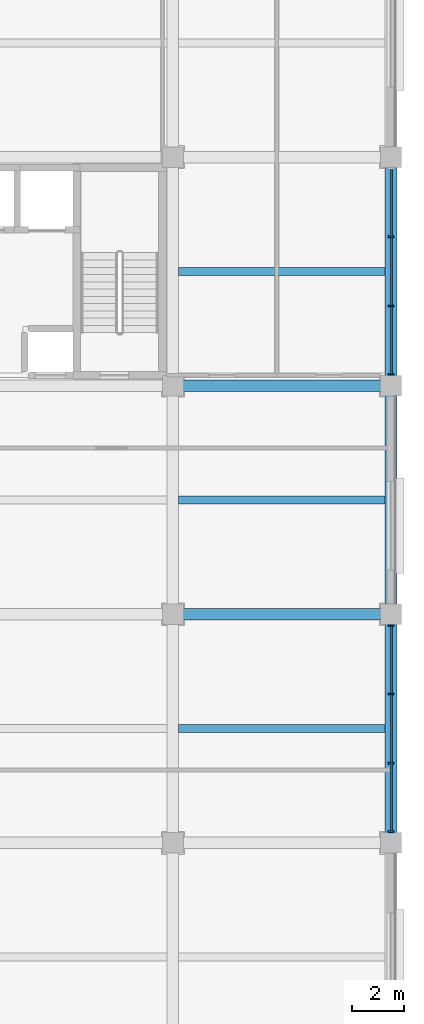
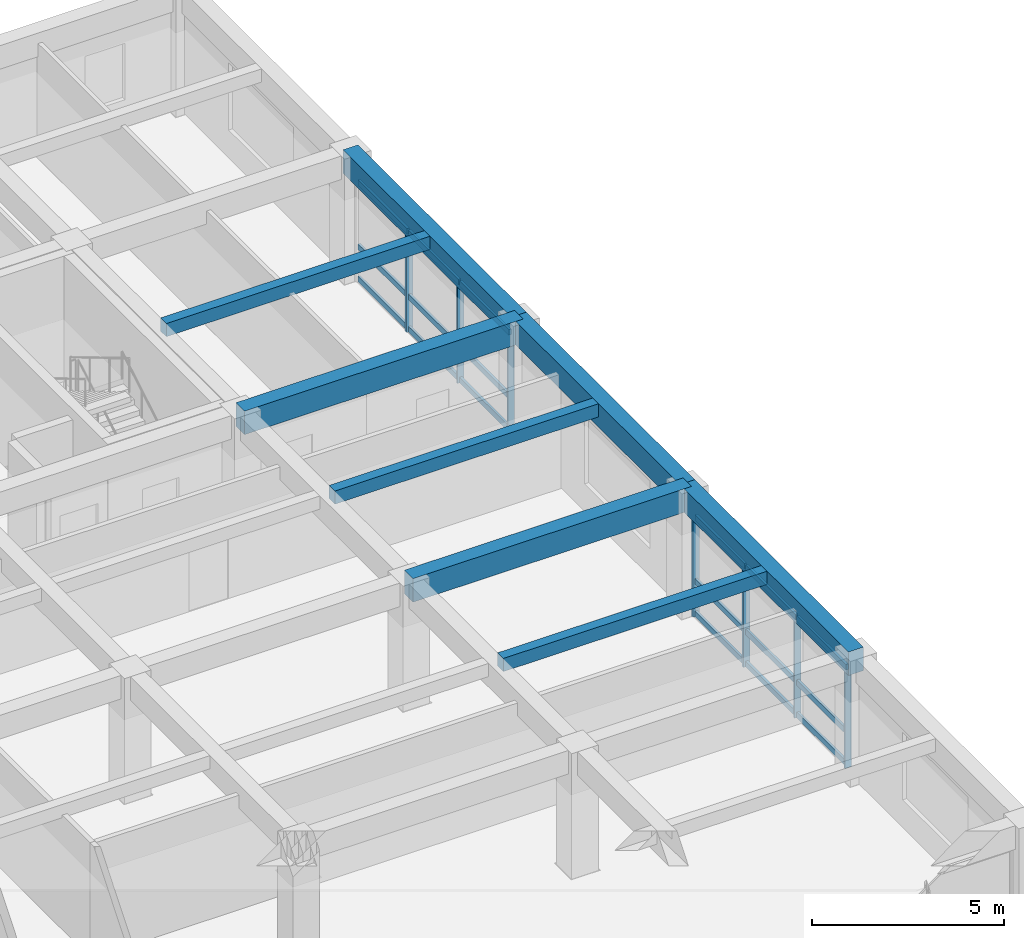
# One storey, part 29 of 49: 25 members, 8 beams, 2 elements without a shape of their own.
"""IFC4 building model written with IfcOpenShell, lengths in metres."""

from ifc_helpers import new_model, si_unit, direction, frame, origin, origin_2d, place, context, subcontext, project, spatial, rectangle, extrude, material, material_profile, profile_set, type_object, element, aggregate, save


model = new_model("IFC4")

# Units and contexts
model_context = context("Model", 3, precision=1e-05, world=origin(), true_north=direction((0.0, 1.0)))
body_context = subcontext(model_context, "Body", "Model", "MODEL_VIEW")
ifc_project = project(units=[si_unit("LENGTHUNIT", "METRE"), si_unit("AREAUNIT", "SQUARE_METRE"), si_unit("VOLUMEUNIT", "CUBIC_METRE"), si_unit("PLANEANGLEUNIT", "RADIAN"), si_unit("MASSUNIT", "GRAM", prefix="KILO")], contexts=[model_context])

# Site, building, storey
site_placement = place(None, origin())
site = spatial("IfcSite", under=ifc_project, at=site_placement, CompositionType="ELEMENT")
building_placement = place(site_placement, origin())
building = spatial("IfcBuilding", under=site, at=building_placement, Name="Kemercrest Conservatory and Botanical Centre", CompositionType="ELEMENT")
storey_placement = place(building_placement, frame((0.0, 0.0, 13.199951171875)))
storey = spatial("IfcBuildingStorey", under=building, at=storey_placement, Name="L03", CompositionType="ELEMENT", Elevation=13.199951171875)

# Beams
ifc_material_1 = material(Name="Concrete C40/50", Category="concrete")
ifc_material_profile_1 = material_profile(ifc_material_1, rectangle(XDim=0.449951171875, YDim=0.75, at=origin_2d()), Name="RC 450x750")
ifc_profile_set_1 = profile_set([ifc_material_profile_1], Name="Concrete C40/50")
beam_type_1 = type_object("IfcBeamType", Name="BM-RC75", PredefinedType="BEAM", material=ifc_profile_set_1)
for number, where, z_axis, x_axis, name in (
    (1, (167.60009765625, 96.0, 3.625), (1.0, 0.0, 0.0), (0.0, 1.0, 0.0), "V4-L04 beam BM-RC75 L/20-21"),
    (2, (167.60009765625, 104.800048828125, 3.625), (1.0, 0.0, 0.0), (0.0, 1.0, 0.0), "V4-L04 beam BM-RC75 M/20-21"),
):
    element("IfcBeam", number, at=place(storey_placement, frame(where, z_axis=z_axis, x_axis=x_axis)), inside=storey, type_object=beam_type_1, Name=name, PredefinedType="BEAM", context=body_context, shape_type="SweptSolid", body=[
        extrude(rectangle(XDim=0.449951171875, YDim=0.75, at=origin_2d()), origin(), (0.0, 0.0, 1.0), 8.39990234375),
    ])

# Curtain wall, members
ifc_material_2 = material(Name="Thermally broken aluminium and triple low-e glazing", Category="aluminium")
curtain_wall_type_1 = type_object("IfcCurtainWallType", Name="CW-05", PredefinedType="USERDEFINED", material=ifc_material_2)
curtain_wall_1_placement = place(storey_placement, origin())
curtain_wall_1 = element("IfcCurtainWall", 3, at=curtain_wall_1_placement, inside=storey, type_object=curtain_wall_type_1, Name="Unitised curtain wall CW-05 (CW:L03:V4-064)", ObjectType="UNITISED CURTAIN WALL", PredefinedType="USERDEFINED")
ifc_material_3 = material(Name="Thermally broken anodized aluminium 6063-T6", Category="aluminium")
ifc_material_profile_2 = material_profile(ifc_material_3, rectangle(XDim=0.199951171875, YDim=0.06494140625, at=origin_2d()), Name="AL MULLION 65x200")
ifc_profile_set_2 = profile_set([ifc_material_profile_2], Name="Thermally broken anodized aluminium 6063-T6")
member_type_1 = type_object("IfcMemberType", Name="CW-M200", PredefinedType="MULLION", material=ifc_profile_set_2)
member_1_placement = place(storey_placement, frame((176.0, 87.62744140625, 0.0), z_axis=(0.0, 0.0, 1.0), x_axis=(-1.0, 0.0, 0.0)))
member_1 = element("IfcMember", 4, at=member_1_placement, type_object=member_type_1, Name="CW-05 mullion 1", PredefinedType="MULLION", context=body_context, shape_type="SweptSolid", body=[
    extrude(rectangle(XDim=0.199951171875, YDim=0.06494140625, at=origin_2d()), origin(), (0.0, 0.0, 1.0), 3.255126953125),
])
member_2_placement = place(storey_placement, frame((176.0, 90.264892578125, 0.0), z_axis=(0.0, 0.0, 1.0), x_axis=(-1.0, 0.0, 0.0)))
member_2 = element("IfcMember", 5, at=member_2_placement, type_object=member_type_1, Name="CW-05 mullion 2", PredefinedType="MULLION", context=body_context, shape_type="SweptSolid", body=[
    extrude(rectangle(XDim=0.199951171875, YDim=0.06494140625, at=origin_2d()), origin(), (0.0, 0.0, 1.0), 3.255126953125),
])
member_3_placement = place(storey_placement, frame((176.0, 92.93505859375, 0.0), z_axis=(0.0, 0.0, 1.0), x_axis=(-1.0, 0.0, 0.0)))
member_3 = element("IfcMember", 6, at=member_3_placement, type_object=member_type_1, Name="CW-05 mullion 3", PredefinedType="MULLION", context=body_context, shape_type="SweptSolid", body=[
    extrude(rectangle(XDim=0.199951171875, YDim=0.06494140625, at=origin_2d()), origin(), (0.0, 0.0, 1.0), 3.255126953125),
])
member_4_placement = place(storey_placement, frame((176.0, 95.572509765625, 0.0), z_axis=(0.0, 0.0, 1.0), x_axis=(-1.0, 0.0, 0.0)))
member_4 = element("IfcMember", 7, at=member_4_placement, type_object=member_type_1, Name="CW-05 mullion 4", PredefinedType="MULLION", context=body_context, shape_type="SweptSolid", body=[
    extrude(rectangle(XDim=0.199951171875, YDim=0.06494140625, at=origin_2d()), origin(), (0.0, 0.0, 1.0), 3.255126953125),
])

curtain_wall_type_2 = type_object("IfcCurtainWallType", Name="CW-06", PredefinedType="USERDEFINED", material=ifc_material_2)
curtain_wall_2_placement = place(storey_placement, origin())
curtain_wall_2 = element("IfcCurtainWall", 8, at=curtain_wall_2_placement, inside=storey, type_object=curtain_wall_type_2, Name="Unitised curtain wall CW-06 (CW:L03:V4-065)", ObjectType="UNITISED CURTAIN WALL", PredefinedType="USERDEFINED")
member_5_placement = place(storey_placement, frame((176.0, 105.2275390625, 0.0), z_axis=(0.0, 0.0, 1.0), x_axis=(-1.0, 0.0, 0.0)))
member_5 = element("IfcMember", 9, at=member_5_placement, type_object=member_type_1, Name="CW-06 mullion 1", PredefinedType="MULLION", context=body_context, shape_type="SweptSolid", body=[
    extrude(rectangle(XDim=0.199951171875, YDim=0.06494140625, at=origin_2d()), origin(), (0.0, 0.0, 1.0), 3.255126953125),
])
member_6_placement = place(storey_placement, frame((176.0, 107.864990234375, 0.0), z_axis=(0.0, 0.0, 1.0), x_axis=(-1.0, 0.0, 0.0)))
member_6 = element("IfcMember", 10, at=member_6_placement, type_object=member_type_1, Name="CW-06 mullion 2", PredefinedType="MULLION", context=body_context, shape_type="SweptSolid", body=[
    extrude(rectangle(XDim=0.199951171875, YDim=0.06494140625, at=origin_2d()), origin(), (0.0, 0.0, 1.0), 3.255126953125),
])
member_7_placement = place(storey_placement, frame((176.0, 110.534912109375, 0.0), z_axis=(0.0, 0.0, 1.0), x_axis=(-1.0, 0.0, 0.0)))
member_7 = element("IfcMember", 11, at=member_7_placement, type_object=member_type_1, Name="CW-06 mullion 3", PredefinedType="MULLION", context=body_context, shape_type="SweptSolid", body=[
    extrude(rectangle(XDim=0.199951171875, YDim=0.06494140625, at=origin_2d()), origin(), (0.0, 0.0, 1.0), 3.255126953125),
])

# Member
ifc_material_profile_3 = material_profile(ifc_material_3, rectangle(XDim=0.074951171875, YDim=0.179931640625, at=origin_2d()), Name="AL TRANSOM 75x180")
ifc_profile_set_3 = profile_set([ifc_material_profile_3], Name="Thermally broken anodized aluminium 6063-T6")
member_type_2 = type_object("IfcMemberType", Name="CW-T180", PredefinedType="USERDEFINED", material=ifc_profile_set_3)
member_8_placement = place(storey_placement, frame((176.0, 87.659912109375, 0.090087890625), z_axis=(0.0, 1.0, 0.0), x_axis=(-1.0, 0.0, 0.0)))
member_8 = element("IfcMember", 12, at=member_8_placement, type_object=member_type_2, Name="CW-05 transom 1.1", ObjectType="TRANSOM", PredefinedType="USERDEFINED", context=body_context, shape_type="SweptSolid", body=[
    extrude(rectangle(XDim=0.074951171875, YDim=0.179931640625, at=origin_2d()), origin(), (0.0, 0.0, 1.0), 2.572509765625),
])

member_9_placement = place(storey_placement, frame((176.0, 87.659912109375, 1.1201171875), z_axis=(0.0, 1.0, 0.0), x_axis=(-1.0, 0.0, 0.0)))
member_9 = element("IfcMember", 13, at=member_9_placement, type_object=member_type_2, Name="CW-05 transom 1.2", ObjectType="TRANSOM", PredefinedType="USERDEFINED", context=body_context, shape_type="SweptSolid", body=[
    extrude(rectangle(XDim=0.074951171875, YDim=0.179931640625, at=origin_2d()), origin(), (0.0, 0.0, 1.0), 2.572509765625),
])

member_10_placement = place(storey_placement, frame((176.0, 87.659912109375, 3.1650390625), z_axis=(0.0, 1.0, 0.0), x_axis=(-1.0, 0.0, 0.0)))
member_10 = element("IfcMember", 14, at=member_10_placement, type_object=member_type_2, Name="CW-05 transom 1.3", ObjectType="TRANSOM", PredefinedType="USERDEFINED", context=body_context, shape_type="SweptSolid", body=[
    extrude(rectangle(XDim=0.074951171875, YDim=0.179931640625, at=origin_2d()), origin(), (0.0, 0.0, 1.0), 2.572509765625),
])

member_11_placement = place(storey_placement, frame((176.0, 90.297607421875, 0.090087890625), z_axis=(0.0, 1.0, 0.0), x_axis=(-1.0, 0.0, 0.0)))
member_11 = element("IfcMember", 15, at=member_11_placement, type_object=member_type_2, Name="CW-05 transom 2.1", ObjectType="TRANSOM", PredefinedType="USERDEFINED", context=body_context, shape_type="SweptSolid", body=[
    extrude(rectangle(XDim=0.074951171875, YDim=0.179931640625, at=origin_2d()), origin(), (0.0, 0.0, 1.0), 2.60498046875),
])

member_12_placement = place(storey_placement, frame((176.0, 90.297607421875, 1.1201171875), z_axis=(0.0, 1.0, 0.0), x_axis=(-1.0, 0.0, 0.0)))
member_12 = element("IfcMember", 16, at=member_12_placement, type_object=member_type_2, Name="CW-05 transom 2.2", ObjectType="TRANSOM", PredefinedType="USERDEFINED", context=body_context, shape_type="SweptSolid", body=[
    extrude(rectangle(XDim=0.074951171875, YDim=0.179931640625, at=origin_2d()), origin(), (0.0, 0.0, 1.0), 2.60498046875),
])

member_13_placement = place(storey_placement, frame((176.0, 90.297607421875, 3.1650390625), z_axis=(0.0, 1.0, 0.0), x_axis=(-1.0, 0.0, 0.0)))
member_13 = element("IfcMember", 17, at=member_13_placement, type_object=member_type_2, Name="CW-05 transom 2.3", ObjectType="TRANSOM", PredefinedType="USERDEFINED", context=body_context, shape_type="SweptSolid", body=[
    extrude(rectangle(XDim=0.074951171875, YDim=0.179931640625, at=origin_2d()), origin(), (0.0, 0.0, 1.0), 2.60498046875),
])

member_14_placement = place(storey_placement, frame((176.0, 92.967529296875, 0.090087890625), z_axis=(0.0, 1.0, 0.0), x_axis=(-1.0, 0.0, 0.0)))
member_14 = element("IfcMember", 18, at=member_14_placement, type_object=member_type_2, Name="CW-05 transom 3.1", ObjectType="TRANSOM", PredefinedType="USERDEFINED", context=body_context, shape_type="SweptSolid", body=[
    extrude(rectangle(XDim=0.074951171875, YDim=0.179931640625, at=origin_2d()), origin(), (0.0, 0.0, 1.0), 2.572509765625),
])

member_15_placement = place(storey_placement, frame((176.0, 92.967529296875, 1.1201171875), z_axis=(0.0, 1.0, 0.0), x_axis=(-1.0, 0.0, 0.0)))
member_15 = element("IfcMember", 19, at=member_15_placement, type_object=member_type_2, Name="CW-05 transom 3.2", ObjectType="TRANSOM", PredefinedType="USERDEFINED", context=body_context, shape_type="SweptSolid", body=[
    extrude(rectangle(XDim=0.074951171875, YDim=0.179931640625, at=origin_2d()), origin(), (0.0, 0.0, 1.0), 2.572509765625),
])

member_16_placement = place(storey_placement, frame((176.0, 92.967529296875, 3.1650390625), z_axis=(0.0, 1.0, 0.0), x_axis=(-1.0, 0.0, 0.0)))
member_16 = element("IfcMember", 20, at=member_16_placement, type_object=member_type_2, Name="CW-05 transom 3.3", ObjectType="TRANSOM", PredefinedType="USERDEFINED", context=body_context, shape_type="SweptSolid", body=[
    extrude(rectangle(XDim=0.074951171875, YDim=0.179931640625, at=origin_2d()), origin(), (0.0, 0.0, 1.0), 2.572509765625),
])

aggregate(curtain_wall_1, [member_1, member_2, member_3, member_4, member_8, member_9, member_10, member_11, member_12, member_13, member_14, member_15, member_16])

member_17_placement = place(storey_placement, frame((176.0, 105.260009765625, 0.090087890625), z_axis=(0.0, 1.0, 0.0), x_axis=(-1.0, 0.0, 0.0)))
member_17 = element("IfcMember", 21, at=member_17_placement, type_object=member_type_2, Name="CW-06 transom 1.1", ObjectType="TRANSOM", PredefinedType="USERDEFINED", context=body_context, shape_type="SweptSolid", body=[
    extrude(rectangle(XDim=0.074951171875, YDim=0.179931640625, at=origin_2d()), origin(), (0.0, 0.0, 1.0), 2.572509765625),
])

member_18_placement = place(storey_placement, frame((176.0, 105.260009765625, 1.1201171875), z_axis=(0.0, 1.0, 0.0), x_axis=(-1.0, 0.0, 0.0)))
member_18 = element("IfcMember", 22, at=member_18_placement, type_object=member_type_2, Name="CW-06 transom 1.2", ObjectType="TRANSOM", PredefinedType="USERDEFINED", context=body_context, shape_type="SweptSolid", body=[
    extrude(rectangle(XDim=0.074951171875, YDim=0.179931640625, at=origin_2d()), origin(), (0.0, 0.0, 1.0), 2.572509765625),
])

member_19_placement = place(storey_placement, frame((176.0, 105.260009765625, 3.1650390625), z_axis=(0.0, 1.0, 0.0), x_axis=(-1.0, 0.0, 0.0)))
member_19 = element("IfcMember", 23, at=member_19_placement, type_object=member_type_2, Name="CW-06 transom 1.3", ObjectType="TRANSOM", PredefinedType="USERDEFINED", context=body_context, shape_type="SweptSolid", body=[
    extrude(rectangle(XDim=0.074951171875, YDim=0.179931640625, at=origin_2d()), origin(), (0.0, 0.0, 1.0), 2.572509765625),
])

member_20_placement = place(storey_placement, frame((176.0, 107.8974609375, 0.090087890625), z_axis=(0.0, 1.0, 0.0), x_axis=(-1.0, 0.0, 0.0)))
member_20 = element("IfcMember", 24, at=member_20_placement, type_object=member_type_2, Name="CW-06 transom 2.1", ObjectType="TRANSOM", PredefinedType="USERDEFINED", context=body_context, shape_type="SweptSolid", body=[
    extrude(rectangle(XDim=0.074951171875, YDim=0.179931640625, at=origin_2d()), origin(), (0.0, 0.0, 1.0), 2.60498046875),
])

member_21_placement = place(storey_placement, frame((176.0, 107.8974609375, 1.1201171875), z_axis=(0.0, 1.0, 0.0), x_axis=(-1.0, 0.0, 0.0)))
member_21 = element("IfcMember", 25, at=member_21_placement, type_object=member_type_2, Name="CW-06 transom 2.2", ObjectType="TRANSOM", PredefinedType="USERDEFINED", context=body_context, shape_type="SweptSolid", body=[
    extrude(rectangle(XDim=0.074951171875, YDim=0.179931640625, at=origin_2d()), origin(), (0.0, 0.0, 1.0), 2.60498046875),
])

member_22_placement = place(storey_placement, frame((176.0, 107.8974609375, 3.1650390625), z_axis=(0.0, 1.0, 0.0), x_axis=(-1.0, 0.0, 0.0)))
member_22 = element("IfcMember", 26, at=member_22_placement, type_object=member_type_2, Name="CW-06 transom 2.3", ObjectType="TRANSOM", PredefinedType="USERDEFINED", context=body_context, shape_type="SweptSolid", body=[
    extrude(rectangle(XDim=0.074951171875, YDim=0.179931640625, at=origin_2d()), origin(), (0.0, 0.0, 1.0), 2.60498046875),
])

member_23_placement = place(storey_placement, frame((176.0, 110.5673828125, 0.090087890625), z_axis=(0.0, 1.0, 0.0), x_axis=(-1.0, 0.0, 0.0)))
member_23 = element("IfcMember", 27, at=member_23_placement, type_object=member_type_2, Name="CW-06 transom 3.1", ObjectType="TRANSOM", PredefinedType="USERDEFINED", context=body_context, shape_type="SweptSolid", body=[
    extrude(rectangle(XDim=0.074951171875, YDim=0.179931640625, at=origin_2d()), origin(), (0.0, 0.0, 1.0), 2.572509765625),
])

member_24_placement = place(storey_placement, frame((176.0, 110.5673828125, 1.1201171875), z_axis=(0.0, 1.0, 0.0), x_axis=(-1.0, 0.0, 0.0)))
member_24 = element("IfcMember", 28, at=member_24_placement, type_object=member_type_2, Name="CW-06 transom 3.2", ObjectType="TRANSOM", PredefinedType="USERDEFINED", context=body_context, shape_type="SweptSolid", body=[
    extrude(rectangle(XDim=0.074951171875, YDim=0.179931640625, at=origin_2d()), origin(), (0.0, 0.0, 1.0), 2.572509765625),
])

member_25_placement = place(storey_placement, frame((176.0, 110.5673828125, 3.1650390625), z_axis=(0.0, 1.0, 0.0), x_axis=(-1.0, 0.0, 0.0)))
member_25 = element("IfcMember", 29, at=member_25_placement, type_object=member_type_2, Name="CW-06 transom 3.3", ObjectType="TRANSOM", PredefinedType="USERDEFINED", context=body_context, shape_type="SweptSolid", body=[
    extrude(rectangle(XDim=0.074951171875, YDim=0.179931640625, at=origin_2d()), origin(), (0.0, 0.0, 1.0), 2.572509765625),
])

aggregate(curtain_wall_2, [member_5, member_6, member_7, member_17, member_18, member_19, member_20, member_21, member_22, member_23, member_24, member_25])

# Beams
ifc_material_profile_4 = material_profile(ifc_material_1, rectangle(XDim=0.300048828125, YDim=0.419921875, at=origin_2d()), Name="RC 300x420")
ifc_profile_set_4 = profile_set([ifc_material_profile_4], Name="Concrete C40/50")
beam_type_2 = type_object("IfcBeamType", Name="JS-RC42", PredefinedType="JOIST", material=ifc_profile_set_4)
for number, where, z_axis, x_axis, name in (
    (30, (167.824951171875, 91.60009765625, 3.7900390625), (1.0, 0.0, 0.0), (0.0, 1.0, 0.0), "V4-L04 secondary joist JS-RC42"),
    (31, (167.824951171875, 100.39990234375, 3.7900390625), (1.0, 0.0, 0.0), (0.0, 1.0, 0.0), "V4-L04 secondary joist JS-RC42"),
    (32, (167.824951171875, 109.199951171875, 3.7900390625), (1.0, 0.0, 0.0), (0.0, 1.0, 0.0), "V4-L04 secondary joist JS-RC42"),
):
    element("IfcBeam", number, at=place(storey_placement, frame(where, z_axis=z_axis, x_axis=x_axis)), inside=storey, type_object=beam_type_2, Name=name, PredefinedType="JOIST", context=body_context, shape_type="SweptSolid", body=[
        extrude(rectangle(XDim=0.300048828125, YDim=0.419921875, at=origin_2d()), origin(), (0.0, 0.0, 1.0), 7.949951171875),
    ])
ifc_material_profile_5 = material_profile(ifc_material_1, rectangle(XDim=0.449951171875, YDim=0.75, at=origin_2d()), Name="RC 450x750")
ifc_profile_set_5 = profile_set([ifc_material_profile_5], Name="Concrete C40/50")
beam_type_3 = type_object("IfcBeamType", Name="SP-RC75", PredefinedType="SPANDREL", material=ifc_profile_set_5)
for number, where, z_axis, x_axis, name in (
    (33, (176.0, 87.199951171875, 3.625), (0.0, 1.0, 0.0), (-1.0, 0.0, 0.0), "V4-L04 beam SP-RC75 21/K-L"),
    (34, (176.0, 96.0, 3.625), (0.0, 1.0, 0.0), (-1.0, 0.0, 0.0), "V4-L04 beam SP-RC75 21/L-M"),
    (35, (176.0, 104.800048828125, 3.625), (0.0, 1.0, 0.0), (-1.0, 0.0, 0.0), "V4-L04 beam SP-RC75 21/M-N"),
):
    element("IfcBeam", number, at=place(storey_placement, frame(where, z_axis=z_axis, x_axis=x_axis)), inside=storey, type_object=beam_type_3, Name=name, PredefinedType="SPANDREL", context=body_context, shape_type="SweptSolid", body=[
        extrude(rectangle(XDim=0.449951171875, YDim=0.75, at=origin_2d()), origin(), (0.0, 0.0, 1.0), 8.800048828125),
    ])

save(model, "model.ifc")
